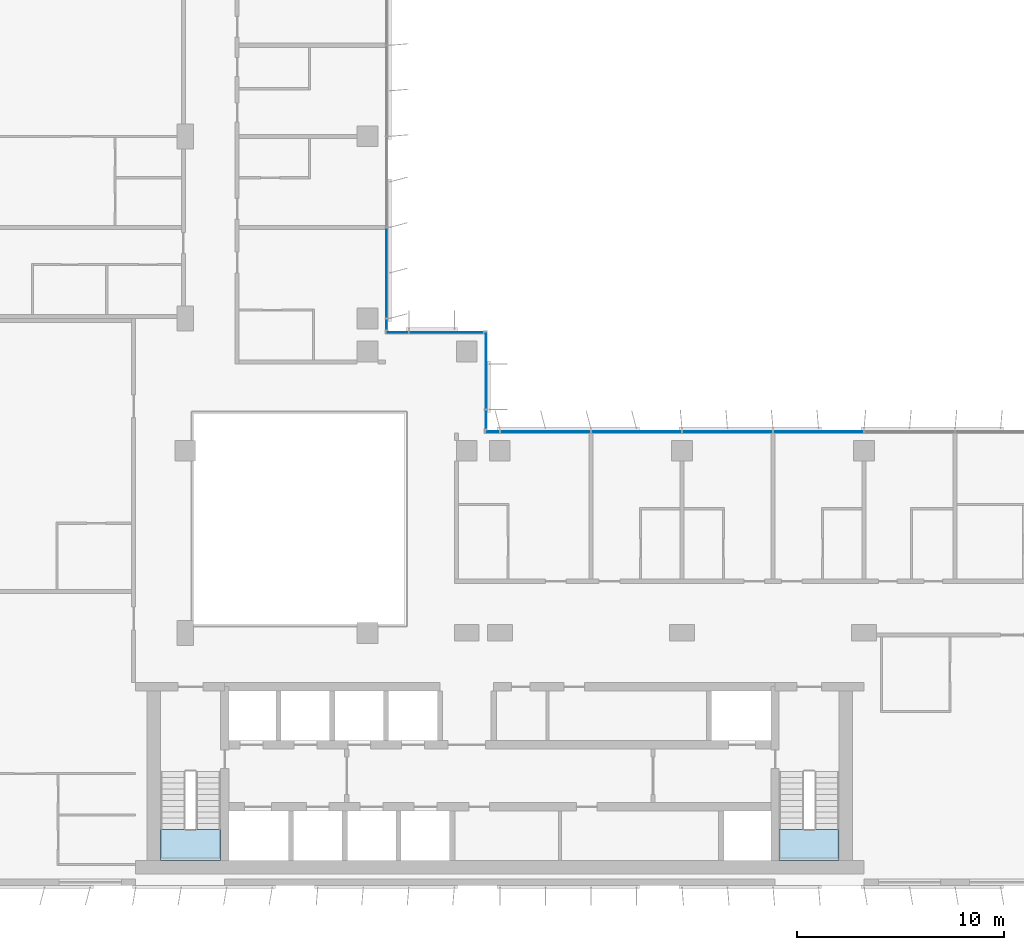
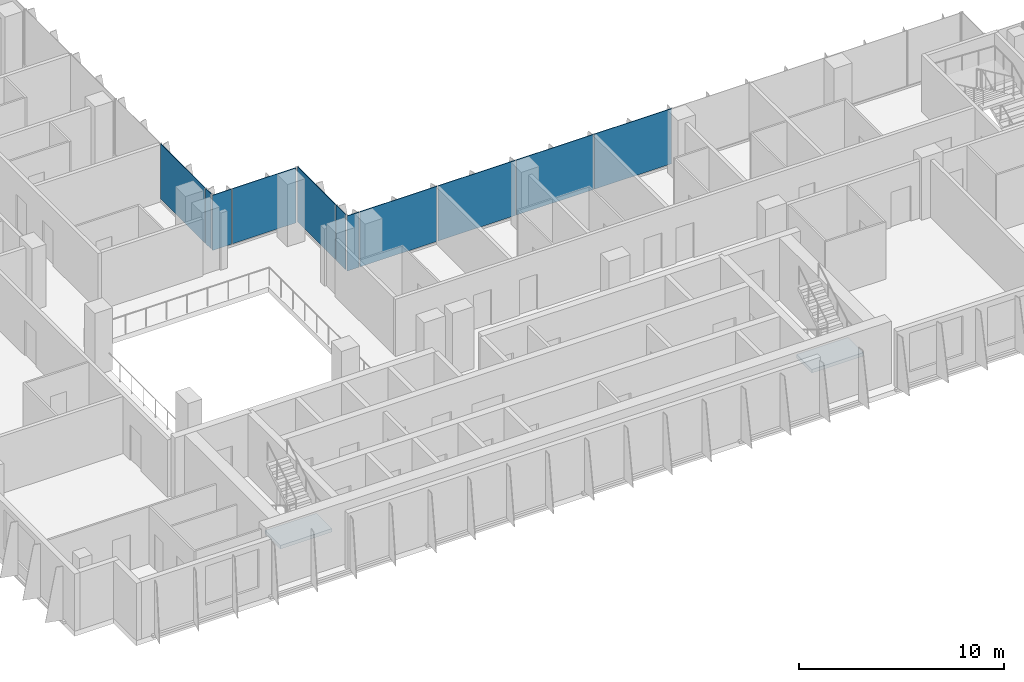
# One storey, part 10 of 21: 11 plates, 2 slabs, 6 elements without a shape of their own.
"""IFC4 building model written with IfcOpenShell, lengths in metres."""

from ifc_helpers import new_model, si_unit, direction, frame, origin, origin_2d, place, context, subcontext, project, spatial, polyline, rectangle, outline, extrude, source, transform, mapped, material, layer, layer_set, type_object, element, aggregate, save


model = new_model("IFC4")

# Units and contexts
model_context = context("Model", 3, precision=1e-05, world=origin(), true_north=direction((0.0, 1.0)))
body_context = subcontext(model_context, "Body", "Model", "MODEL_VIEW")
ifc_project = project(units=[si_unit("LENGTHUNIT", "METRE"), si_unit("AREAUNIT", "SQUARE_METRE"), si_unit("VOLUMEUNIT", "CUBIC_METRE"), si_unit("PLANEANGLEUNIT", "RADIAN"), si_unit("MASSUNIT", "GRAM", prefix="KILO")], contexts=[model_context])

# Site, building, storey
site_placement = place(None, origin())
site = spatial("IfcSite", under=ifc_project, at=site_placement, CompositionType="ELEMENT")
building_placement = place(site_placement, origin())
building = spatial("IfcBuilding", under=site, at=building_placement, Name="Kemantara Hotel Tower", CompositionType="ELEMENT")
storey_placement = place(building_placement, frame((0.0, 0.0, 171.60009765625)))
storey = spatial("IfcBuildingStorey", under=building, at=storey_placement, Name="L42", CompositionType="ELEMENT", Elevation=171.60009765625)

# Stair, slab
ifc_material_1 = material(Name="Concrete fc 40 MPa", Category="concrete")
stair_type = type_object("IfcStairType", Name="Stair 1200 wide 22 risers of 168 x 280 mm", PredefinedType="HALF_TURN_STAIR", material=ifc_material_1)
stair_1_placement = place(storey_placement, origin())
stair_1 = element("IfcStair", 1, at=stair_1_placement, inside=storey, type_object=stair_type, Name="L42 Exit stair ST1", PredefinedType="HALF_TURN_STAIR")
ifc_layer_1 = layer(ifc_material_1, 0.199951171875)
ifc_layer_set_1 = layer_set([ifc_layer_1], Name="Concrete fc 40 MPa")
slab_type = type_object("IfcSlabType", Name="Stair landing 200 mm", PredefinedType="LANDING", material=ifc_layer_set_1)
slab_1_placement = place(storey_placement, frame((0.0, 0.0, 1.64990234375)))
slab_1 = element("IfcSlab", 2, at=slab_1_placement, type_object=slab_type, Name="ST1 landing 1", PredefinedType="LANDING", context=body_context, shape_type="SweptSolid", body=[
    extrude(outline(polyline([(11.0, 2.699951171875), (11.0, 1.199951171875), (13.89990234375, 1.199951171875), (13.89990234375, 2.699951171875), (11.0, 2.699951171875)])), origin(), (0.0, 0.0, 1.0), 0.199951171875),
])
aggregate(stair_1, [slab_1])

stair_2_placement = place(storey_placement, origin())
stair_2 = element("IfcStair", 3, at=stair_2_placement, inside=storey, type_object=stair_type, Name="L42 Exit stair ST2", PredefinedType="HALF_TURN_STAIR")
slab_2_placement = place(storey_placement, frame((0.0, 0.0, 1.64990234375)))
slab_2 = element("IfcSlab", 4, at=slab_2_placement, type_object=slab_type, Name="ST2 landing 1", PredefinedType="LANDING", context=body_context, shape_type="SweptSolid", body=[
    extrude(outline(polyline([(40.89990234375, 2.699951171875), (40.89990234375, 1.199951171875), (43.800048828125, 1.199951171875), (43.800048828125, 2.699951171875), (40.89990234375, 2.699951171875)])), origin(), (0.0, 0.0, 1.0), 0.199951171875),
])
aggregate(stair_2, [slab_2])

# Curtain wall, plates
ifc_material_2 = material(Name="Low-E tinted double insulated glass 36 mm", Category="glass")
curtain_wall_type = type_object("IfcCurtainWallType", Name="TOWER CURTAIN WALL, FRONT FACES", PredefinedType="USERDEFINED", material=ifc_material_2)
curtain_wall_1_placement = place(storey_placement, origin())
curtain_wall_1 = element("IfcCurtainWall", 5, at=curtain_wall_1_placement, inside=storey, type_object=curtain_wall_type, Name="CW4 L42 T3-R14-1", ObjectType="TOWER CURTAIN WALL, FRONT FACES", PredefinedType="USERDEFINED")
ifc_layer_2 = layer(ifc_material_2, 0.035888671875)
ifc_layer_set_2 = layer_set([ifc_layer_2], Name="Low-E tinted double insulated glass 36 mm")
plate_type = type_object("IfcPlateType", Name="TOWER CURTAIN WALL, FRONT FACES PANEL", PredefinedType="CURTAIN_PANEL", material=ifc_layer_set_2)
shared_shape_1 = source(origin(), body_context, "Body", "SweptSolid", [
    extrude(rectangle(XDim=4.340087890625, YDim=0.035888671875, at=origin_2d()), origin(), (0.0, 0.0, 1.0), 3.280029296875),
])
plate_1_placement = place(storey_placement, frame((42.800048828125, 21.925048828125, 0.1201171875), z_axis=(0.0, 0.0, 1.0), x_axis=(-1.0, 0.0, 0.0)))
plate_1 = element("IfcPlate", 6, at=plate_1_placement, type_object=plate_type, Name="CW4 glass panel T3-R14-1.5", PredefinedType="CURTAIN_PANEL", context=body_context, shape_type="MappedRepresentation", body=[
    mapped(shared_shape_1, transform((0.0, 0.0, 0.0))),
])
plate_2_placement = place(storey_placement, frame((38.39990234375, 21.925048828125, 0.1201171875), z_axis=(0.0, 0.0, 1.0), x_axis=(-1.0, 0.0, 0.0)))
plate_2 = element("IfcPlate", 7, at=plate_2_placement, type_object=plate_type, Name="CW4 glass panel T3-R14-1.6", PredefinedType="CURTAIN_PANEL", context=body_context, shape_type="MappedRepresentation", body=[
    mapped(shared_shape_1, transform((0.0, 0.0, 0.0))),
])
plate_3_placement = place(storey_placement, frame((34.0, 21.925048828125, 0.1201171875), z_axis=(0.0, 0.0, 1.0), x_axis=(-1.0, 0.0, 0.0)))
plate_3 = element("IfcPlate", 8, at=plate_3_placement, type_object=plate_type, Name="CW4 glass panel T3-R14-1.7", PredefinedType="CURTAIN_PANEL", context=body_context, shape_type="MappedRepresentation", body=[
    mapped(shared_shape_1, transform((0.0, 0.0, 0.0))),
])
plate_4_placement = place(storey_placement, frame((29.60009765625, 21.925048828125, 0.1201171875), z_axis=(0.0, 0.0, 1.0), x_axis=(-1.0, 0.0, 0.0)))
plate_4 = element("IfcPlate", 9, at=plate_4_placement, type_object=plate_type, Name="CW4 glass panel T3-R14-1.8", PredefinedType="CURTAIN_PANEL", context=body_context, shape_type="MappedRepresentation", body=[
    mapped(shared_shape_1, transform((0.0, 0.0, 0.0))),
])

# Curtain wall, plate
curtain_wall_2_placement = place(storey_placement, origin())
curtain_wall_2 = element("IfcCurtainWall", 10, at=curtain_wall_2_placement, inside=storey, type_object=curtain_wall_type, Name="CW4 L42 T3-R17-1", ObjectType="TOWER CURTAIN WALL, FRONT FACES", PredefinedType="USERDEFINED")
plate_5_placement = place(storey_placement, frame((21.925048828125, 29.60009765625, 0.1201171875), z_axis=(0.0, 0.0, 1.0), x_axis=(0.0, 1.0, 0.0)))
plate_5 = element("IfcPlate", 11, at=plate_5_placement, type_object=plate_type, Name="CW4 glass panel T3-R17-1.2", PredefinedType="CURTAIN_PANEL", context=body_context, shape_type="MappedRepresentation", body=[
    mapped(shared_shape_1, transform((0.0, 0.0, 0.0))),
])

# Plate
shared_shape_2 = source(origin(), body_context, "Body", "SweptSolid", [
    extrude(rectangle(XDim=0.659912109375, YDim=0.035888671875, at=origin_2d()), origin(), (0.0, 0.0, 1.0), 3.280029296875),
])
plate_6_placement = place(storey_placement, frame((27.0400390625, 21.925048828125, 0.1201171875), z_axis=(0.0, 0.0, 1.0), x_axis=(-1.0, 0.0, 0.0)))
plate_6 = element("IfcPlate", 12, at=plate_6_placement, type_object=plate_type, Name="CW4 glass panel T3-R14-1.9", PredefinedType="CURTAIN_PANEL", context=body_context, shape_type="MappedRepresentation", body=[
    mapped(shared_shape_2, transform((0.0, 0.0, 0.0))),
])

aggregate(curtain_wall_1, [plate_1, plate_2, plate_3, plate_4, plate_6])

shared_shape_3 = source(origin(), body_context, "Body", "SweptSolid", [
    extrude(rectangle(XDim=0.510009765625, YDim=0.035888671875, at=origin_2d()), origin(), (0.0, 0.0, 1.0), 3.280029296875),
])
plate_7_placement = place(storey_placement, frame((21.925048828125, 27.114990234375, 0.1201171875), z_axis=(0.0, 0.0, 1.0), x_axis=(0.0, 1.0, 0.0)))
plate_7 = element("IfcPlate", 13, at=plate_7_placement, type_object=plate_type, Name="CW4 glass panel T3-R17-1.1", PredefinedType="CURTAIN_PANEL", context=body_context, shape_type="MappedRepresentation", body=[
    mapped(shared_shape_3, transform((0.0, 0.0, 0.0))),
])

aggregate(curtain_wall_2, [plate_7, plate_5])

# Curtain wall, plates
curtain_wall_3_placement = place(storey_placement, origin())
curtain_wall_3 = element("IfcCurtainWall", 14, at=curtain_wall_3_placement, inside=storey, type_object=curtain_wall_type, Name="CW4 L42 T3-R15-1", ObjectType="TOWER CURTAIN WALL, FRONT FACES", PredefinedType="USERDEFINED")
shared_shape_4 = source(origin(), body_context, "Body", "SweptSolid", [
    extrude(rectangle(XDim=0.909912109375, YDim=0.035888671875, at=origin_2d()), origin(), (0.0, 0.0, 1.0), 3.280029296875),
])
plate_8_placement = place(storey_placement, frame((26.72509765625, 22.514892578125, 0.1201171875), z_axis=(0.0, 0.0, 1.0), x_axis=(0.0, 1.0, 0.0)))
plate_8 = element("IfcPlate", 15, at=plate_8_placement, type_object=plate_type, Name="CW4 glass panel T3-R15-1.1", PredefinedType="CURTAIN_PANEL", context=body_context, shape_type="MappedRepresentation", body=[
    mapped(shared_shape_4, transform((0.0, 0.0, 0.0))),
])
shared_shape_5 = source(origin(), body_context, "Body", "SweptSolid", [
    extrude(rectangle(XDim=3.7099609375, YDim=0.035888671875, at=origin_2d()), origin(), (0.0, 0.0, 1.0), 3.280029296875),
])
plate_9_placement = place(storey_placement, frame((26.72509765625, 24.885009765625, 0.1201171875), z_axis=(0.0, 0.0, 1.0), x_axis=(0.0, 1.0, 0.0)))
plate_9 = element("IfcPlate", 16, at=plate_9_placement, type_object=plate_type, Name="CW4 glass panel T3-R15-1.2", PredefinedType="CURTAIN_PANEL", context=body_context, shape_type="MappedRepresentation", body=[
    mapped(shared_shape_5, transform((0.0, 0.0, 0.0))),
])
aggregate(curtain_wall_3, [plate_8, plate_9])

curtain_wall_4_placement = place(storey_placement, origin())
curtain_wall_4 = element("IfcCurtainWall", 17, at=curtain_wall_4_placement, inside=storey, type_object=curtain_wall_type, Name="CW4 L42 T3-R16-1", ObjectType="TOWER CURTAIN WALL, FRONT FACES", PredefinedType="USERDEFINED")
shared_shape_6 = source(origin(), body_context, "Body", "SweptSolid", [
    extrude(rectangle(XDim=3.56005859375, YDim=0.035888671875, at=origin_2d()), origin(), (0.0, 0.0, 1.0), 3.280029296875),
])
plate_10_placement = place(storey_placement, frame((24.81005859375, 26.72509765625, 0.1201171875), z_axis=(0.0, 0.0, 1.0), x_axis=(-1.0, 0.0, 0.0)))
plate_10 = element("IfcPlate", 18, at=plate_10_placement, type_object=plate_type, Name="CW4 glass panel T3-R16-1.1", PredefinedType="CURTAIN_PANEL", context=body_context, shape_type="MappedRepresentation", body=[
    mapped(shared_shape_6, transform((0.0, 0.0, 0.0))),
])
shared_shape_7 = source(origin(), body_context, "Body", "SweptSolid", [
    extrude(rectangle(XDim=1.06005859375, YDim=0.035888671875, at=origin_2d()), origin(), (0.0, 0.0, 1.0), 3.280029296875),
])
plate_11_placement = place(storey_placement, frame((22.43994140625, 26.72509765625, 0.1201171875), z_axis=(0.0, 0.0, 1.0), x_axis=(-1.0, 0.0, 0.0)))
plate_11 = element("IfcPlate", 19, at=plate_11_placement, type_object=plate_type, Name="CW4 glass panel T3-R16-1.2", PredefinedType="CURTAIN_PANEL", context=body_context, shape_type="MappedRepresentation", body=[
    mapped(shared_shape_7, transform((0.0, 0.0, 0.0))),
])
aggregate(curtain_wall_4, [plate_10, plate_11])

save(model, "model.ifc")
